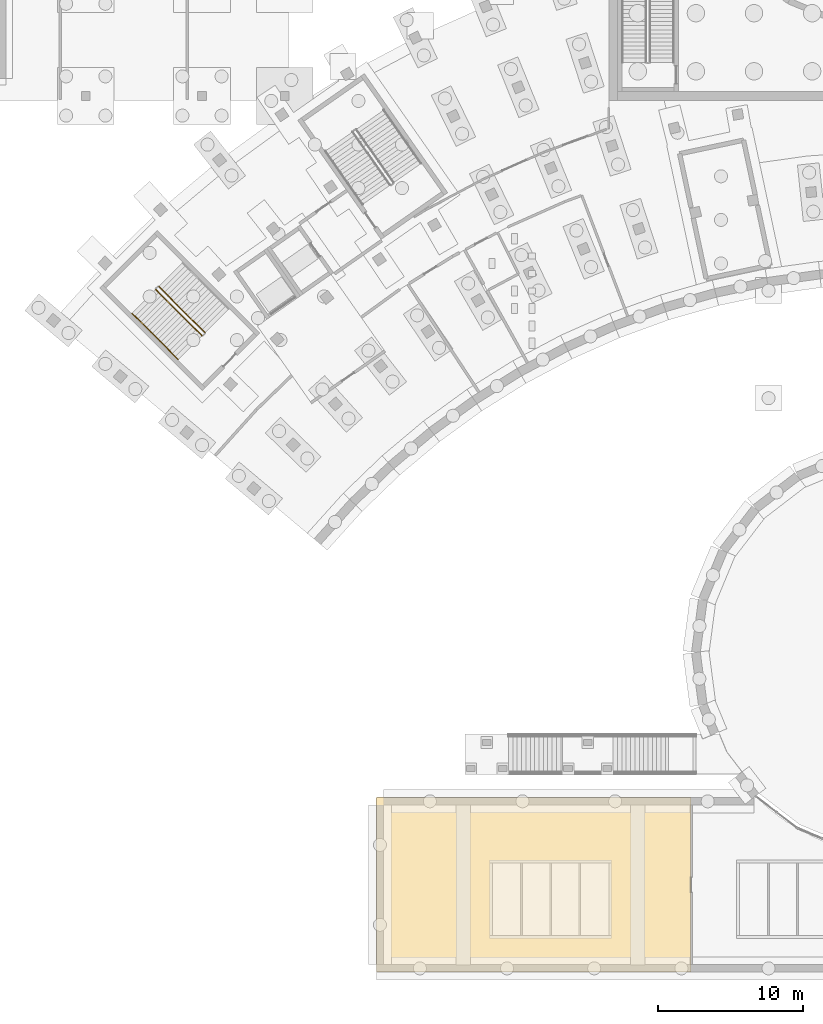
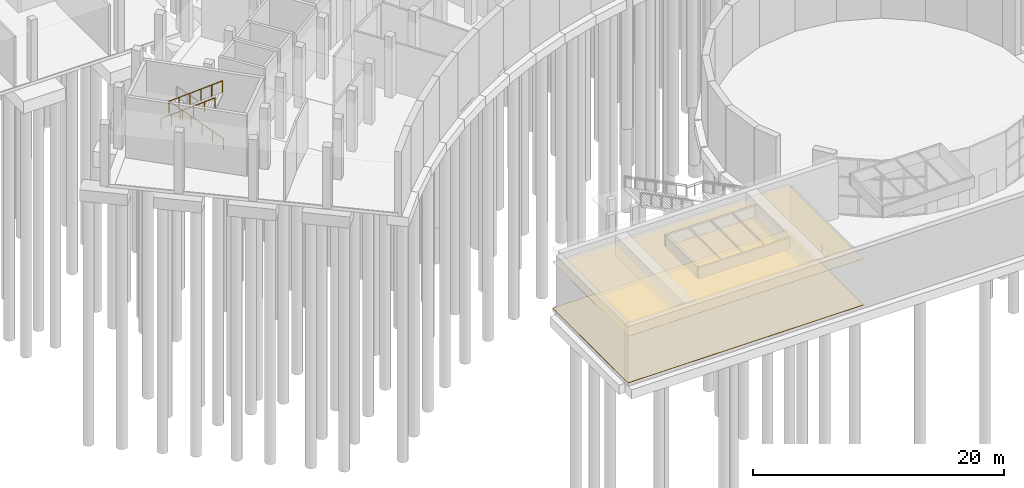
# One storey, part 35 of 66: 3 railings, 2 coverings.
"""IFC4 building model written with IfcOpenShell, lengths in metres."""

from ifc_helpers import new_model, si_unit, direction, frame, origin, origin_2d, place, context, subcontext, project, spatial, polyline, circle, outline, extrude, material, layer, layer_set, type_object, element, save


model = new_model("IFC4")

# Units and contexts
model_context = context("Model", 3, precision=1e-05, world=origin(), true_north=direction((0.0, 1.0)))
body_context = subcontext(model_context, "Body", "Model", "MODEL_VIEW")
ifc_project = project(units=[si_unit("LENGTHUNIT", "METRE"), si_unit("AREAUNIT", "SQUARE_METRE"), si_unit("VOLUMEUNIT", "CUBIC_METRE"), si_unit("PLANEANGLEUNIT", "RADIAN"), si_unit("MASSUNIT", "GRAM", prefix="KILO")], contexts=[model_context])

# Site, building, storey
site_placement = place(None, origin())
site = spatial("IfcSite", under=ifc_project, at=site_placement, CompositionType="ELEMENT")
building_placement = place(site_placement, origin())
building = spatial("IfcBuilding", under=site, at=building_placement, Name="Lunette Opera House", CompositionType="ELEMENT")
storey_placement = place(building_placement, frame((0.0, 0.0, -6.0)))
storey = spatial("IfcBuildingStorey", under=building, at=storey_placement, Name="B1", CompositionType="ELEMENT", Elevation=-6.0)

# Covering
ifc_material_1 = material(Name="Cement screed")
ifc_layer_1 = layer(ifc_material_1, 0.070068359375)
ifc_layer_set_1 = layer_set([ifc_layer_1], Name="Cement screed")
covering_type_1 = type_object("IfcCoveringType", Name="SCREED FLOOR FINISH 70", PredefinedType="FLOORING", material=ifc_layer_set_1)
covering_1_placement = place(storey_placement, origin())
element("IfcCovering", 1, at=covering_1_placement, inside=storey, type_object=covering_type_1, Name="Floor finish Visitor Cycle Store", PredefinedType="FLOORING", context=body_context, shape_type="SweptSolid", body=[
    extrude(outline(polyline([(81.6669921875, 16.0), (81.6669921875, 4.0), (60.0, 4.0), (60.0, 16.0), (81.6669921875, 16.0)])), origin(), (0.0, 0.0, 1.0), 0.070068359375),
])

# Railings
ifc_material_2 = material(Name="Steel S355", Category="steel")
railing_type_1 = type_object("IfcRailingType", Name="STAIR GUARD 1100", PredefinedType="GUARDRAIL", material=ifc_material_2)
railing_1_placement = place(storey_placement, frame((48.199951171875, 48.012451171875, 0.176513671875)))
element("IfcRailing", 2, at=railing_1_placement, inside=storey, type_object=railing_type_1, Name="B1 ST1 stair guard 1", PredefinedType="GUARDRAIL", context=body_context, shape_type="SweptSolid", body=[
    extrude(circle(Radius=0.02392578125, at=origin_2d()), frame((0.0, 0.0, 1.076171875), z_axis=(-0.598205512604, 0.598205512604, 0.533198208344), x_axis=(-0.707106781187, -0.707106781187, 0.0)), (0.0, 0.0, 1.0), 5.29541015625),
    extrude(circle(Radius=0.02099609375, at=origin_2d()), origin(), (0.0, 0.0, 1.0), 1.052001953125),
    extrude(circle(Radius=0.02099609375, at=origin_2d()), frame((-0.633544921875, 0.633544921875, 0.564697265625)), (0.0, 0.0, 1.0), 1.052001953125),
    extrude(circle(Radius=0.02099609375, at=origin_2d()), frame((-1.26708984375, 1.26708984375, 1.12939453125)), (0.0, 0.0, 1.0), 1.052001953125),
    extrude(circle(Radius=0.02099609375, at=origin_2d()), frame((-1.900634765625, 1.900634765625, 1.694091796875)), (0.0, 0.0, 1.0), 1.052001953125),
    extrude(circle(Radius=0.02099609375, at=origin_2d()), frame((-2.5341796875, 2.5341796875, 2.2587890625)), (0.0, 0.0, 1.0), 1.052001953125),
    extrude(circle(Radius=0.02099609375, at=origin_2d()), frame((-3.167724609375, 3.167724609375, 2.823486328125)), (0.0, 0.0, 1.0), 1.052001953125),
])
railing_2_placement = place(storey_placement, frame((44.81982421875, 50.9677734375, 3.176513671875)))
element("IfcRailing", 3, at=railing_2_placement, inside=storey, type_object=railing_type_1, Name="B1 ST1 stair guard 3", PredefinedType="GUARDRAIL", context=body_context, shape_type="SweptSolid", body=[
    extrude(circle(Radius=0.02392578125, at=origin_2d()), frame((0.0, 0.0, 1.076171875), z_axis=(0.598205512604, -0.598205512604, 0.533198208344), x_axis=(0.707106781187, 0.707106781187, 0.0)), (0.0, 0.0, 1.0), 5.29541015625),
    extrude(circle(Radius=0.02099609375, at=origin_2d()), origin(), (0.0, 0.0, 1.0), 1.052001953125),
    extrude(circle(Radius=0.02099609375, at=origin_2d()), frame((0.633544921875, -0.633544921875, 0.564697265625)), (0.0, 0.0, 1.0), 1.052001953125),
    extrude(circle(Radius=0.02099609375, at=origin_2d()), frame((1.26708984375, -1.26708984375, 1.12939453125)), (0.0, 0.0, 1.0), 1.052001953125),
    extrude(circle(Radius=0.02099609375, at=origin_2d()), frame((1.900634765625, -1.900634765625, 1.694091796875)), (0.0, 0.0, 1.0), 1.052001953125),
    extrude(circle(Radius=0.02099609375, at=origin_2d()), frame((2.5341796875, -2.5341796875, 2.2587890625)), (0.0, 0.0, 1.0), 1.052001953125),
    extrude(circle(Radius=0.02099609375, at=origin_2d()), frame((3.167724609375, -3.167724609375, 2.823486328125)), (0.0, 0.0, 1.0), 1.052001953125),
])
ifc_material_3 = material(Name="Steel S355", Category="steel")
railing_type_2 = type_object("IfcRailingType", Name="STAIR HANDRAIL 1000", PredefinedType="HANDRAIL", material=ifc_material_3)
railing_3_placement = place(storey_placement, frame((43.193359375, 49.341552734375, 3.176513671875)))
element("IfcRailing", 4, at=railing_3_placement, inside=storey, type_object=railing_type_2, Name="B1 ST1 stair handrail 2", PredefinedType="HANDRAIL", context=body_context, shape_type="SweptSolid", body=[
    extrude(circle(Radius=0.02392578125, at=origin_2d()), frame((0.0, 0.0, 0.97607421875), z_axis=(0.598218619036, -0.598218619036, 0.533168798485), x_axis=(0.707106781187, 0.707106781187, 0.0)), (0.0, 0.0, 1.0), 5.295654296875),
    extrude(circle(Radius=0.02099609375, at=origin_2d()), origin(), (0.0, 0.0, 1.0), 0.951904296875),
    extrude(circle(Radius=0.02099609375, at=origin_2d()), frame((0.633544921875, -0.633544921875, 0.564697265625)), (0.0, 0.0, 1.0), 0.951904296875),
    extrude(circle(Radius=0.02099609375, at=origin_2d()), frame((1.26708984375, -1.26708984375, 1.12939453125)), (0.0, 0.0, 1.0), 0.951904296875),
    extrude(circle(Radius=0.02099609375, at=origin_2d()), frame((1.90087890625, -1.90087890625, 1.694091796875)), (0.0, 0.0, 1.0), 0.951904296875),
    extrude(circle(Radius=0.02099609375, at=origin_2d()), frame((2.534423828125, -2.534423828125, 2.2587890625)), (0.0, 0.0, 1.0), 0.951904296875),
    extrude(circle(Radius=0.02099609375, at=origin_2d()), frame((3.16796875, -3.16796875, 2.823486328125)), (0.0, 0.0, 1.0), 0.951904296875),
])

# Covering
ifc_material_4 = material(Name="Mineral fibre board")
ifc_layer_2 = layer(ifc_material_4, 0.014892578125)
ifc_layer_set_2 = layer_set([ifc_layer_2], Name="Mineral fibre board")
covering_type_2 = type_object("IfcCoveringType", Name="SUSPENDED ACOUSTIC CEILING 15", PredefinedType="CEILING", material=ifc_layer_set_2)
covering_2_placement = place(storey_placement, frame((0.0, 0.0, 4.534912109375)))
element("IfcCovering", 5, at=covering_2_placement, inside=storey, type_object=covering_type_2, Name="Ceiling Visitor Cycle Store", PredefinedType="CEILING", context=body_context, shape_type="SweptSolid", body=[
    extrude(outline(polyline([(81.6669921875, 16.0), (81.6669921875, 4.0), (60.0, 4.0), (60.0, 16.0), (81.6669921875, 16.0)])), origin(), (0.0, 0.0, 1.0), 0.01513671875),
])

save(model, "model.ifc")
